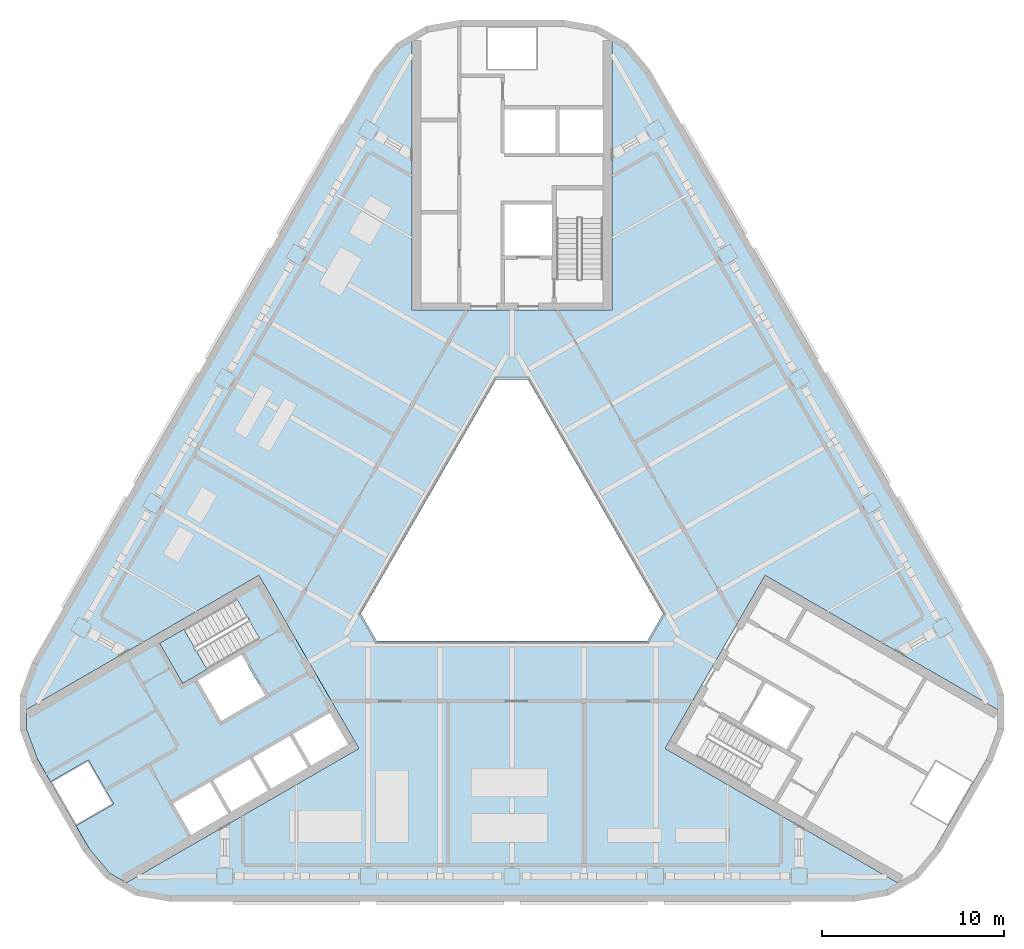
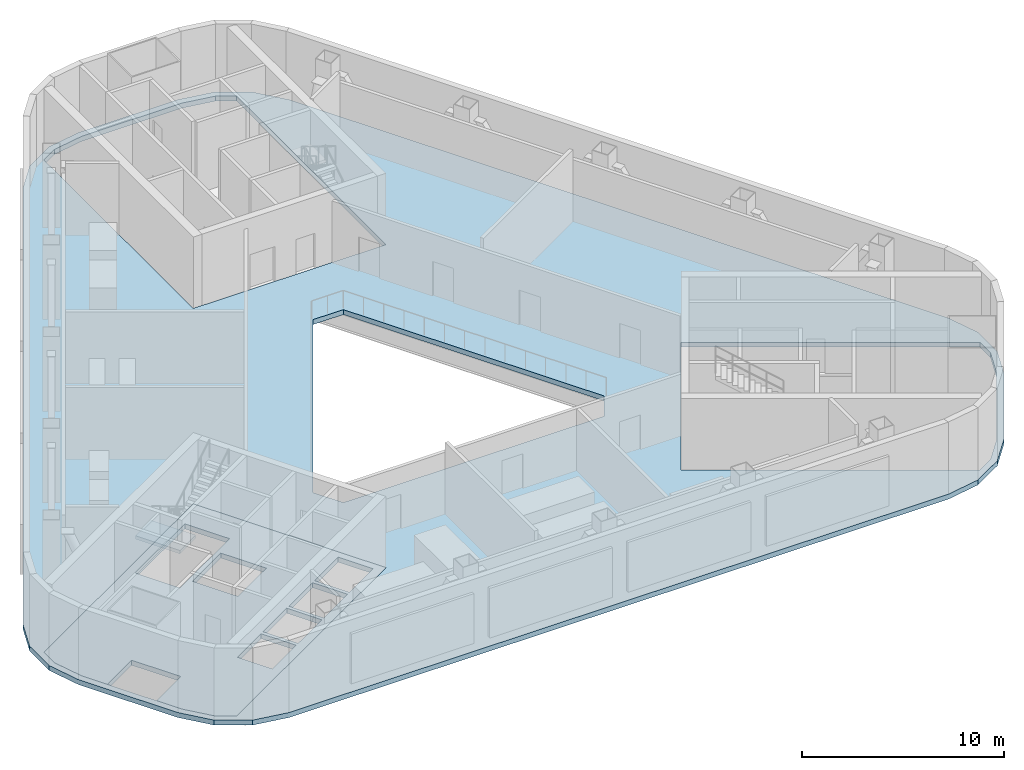
# One storey, part 4 of 14: 3 slabs, 1 element without a shape of its own.
"""IFC4 building model written with IfcOpenShell, lengths in metres."""

import ifcopenshell
import ifcopenshell.guid

model = None  # the IFC model being written
_history = None  # IfcOwnerHistory: only IFC2X3 demands one
_inside = {}  # id of a spatial element -> (the spatial element, [elements in it])
_under = {}  # id of a project, library or spatial element -> (it, [spatial elements below it])
_declared = {}  # id of a project -> (the project, [libraries it declares])
_typed = {}  # id of a type object -> (the type object, [elements of that type])
_made_of = {}  # id of a material, layer set ... -> (it, [elements and type objects made of it])


def new_model(schema):
    """Start an empty IFC model of exactly this schema.

    Asked for "IFC4X3", IfcOpenShell would pick the latest addendum, in which some entities
    have other attributes; the version numbers below select the first issue.
    IFC2X3 requires an IfcOwnerHistory on every rooted entity: one is made here for all.
    """
    global model, _history
    if schema == "IFC4X3":
        model = ifcopenshell.file(schema_version=(4, 3, 0, 0))
    else:
        model = ifcopenshell.file(schema=schema)
    _inside.clear()
    _under.clear()
    _declared.clear()
    _typed.clear()
    _made_of.clear()
    _history = None
    if model.schema == "IFC2X3":
        org = make("IfcOrganization", Name="unknown")
        user = make(
            "IfcPersonAndOrganization",
            ThePerson=make("IfcPerson", FamilyName="unknown"),
            TheOrganization=org,
        )
        app = make(
            "IfcApplication",
            ApplicationDeveloper=org,
            Version="unknown",
            ApplicationFullName="unknown",
            ApplicationIdentifier="unknown",
        )
        _history = make(
            "IfcOwnerHistory",
            OwningUser=user,
            OwningApplication=app,
            ChangeAction="ADDED",
            CreationDate=0,
        )
    return model


def make(cls, **values):
    """One entity of the class cls with the attributes given. An attribute that is None is left unset."""
    return model.create_entity(
        cls, **{name: value for name, value in values.items() if value is not None}
    )


def rooted(cls, **values):
    """An entity with a GlobalId (a new one), such as an element, a storey or a relation."""
    return make(cls, GlobalId=ifcopenshell.guid.new(), OwnerHistory=_history, **values)


def si_unit(unit_type, name, prefix=None):
    """IfcSIUnit, for example si_unit("LENGTHUNIT", "METRE", prefix="MILLI")."""
    return make("IfcSIUnit", UnitType=unit_type, Prefix=prefix, Name=name)


def assignment(units):
    """IfcUnitAssignment: the units of a project."""
    return None if units is None else make("IfcUnitAssignment", Units=units)


def point(xyz):
    """IfcCartesianPoint."""
    return None if xyz is None else make("IfcCartesianPoint", Coordinates=xyz)


def direction(xyz):
    """IfcDirection."""
    return None if xyz is None else make("IfcDirection", DirectionRatios=xyz)


def frame(location, z_axis=None, x_axis=None):
    """IfcAxis2Placement3D, a coordinate frame: its origin and axes. An axis left out is left unset."""
    return make(
        "IfcAxis2Placement3D",
        Location=point(location),
        Axis=direction(z_axis),
        RefDirection=direction(x_axis),
    )


def origin():
    """The frame at (0, 0, 0) with its axes left unset."""
    return frame((0.0, 0.0, 0.0))


def place(relative_to, where):
    """IfcLocalPlacement: puts the frame where relative to a parent placement (None: the world)."""
    return make(
        "IfcLocalPlacement", PlacementRelTo=relative_to, RelativePlacement=where
    )


def context(
    kind, dimensions, precision=None, world=None, true_north=None, identifier=None
):
    """IfcGeometricRepresentationContext, for example the 3D "Model" context."""
    return make(
        "IfcGeometricRepresentationContext",
        ContextIdentifier=identifier,
        ContextType=kind,
        CoordinateSpaceDimension=dimensions,
        Precision=precision,
        WorldCoordinateSystem=world,
        TrueNorth=true_north,
    )


def subcontext(parent, identifier, kind, view, scale=None):
    """IfcGeometricRepresentationSubContext, for example "Body" below "Model"."""
    return make(
        "IfcGeometricRepresentationSubContext",
        ContextIdentifier=identifier,
        ContextType=kind,
        ParentContext=parent,
        TargetScale=scale,
        TargetView=view,
    )


def project(units=None, contexts=None):
    """IfcProject with its units and contexts."""
    return rooted(
        "IfcProject",
        Name="project",
        RepresentationContexts=contexts,
        UnitsInContext=assignment(units),
    )


def spatial(cls, under=None, at=None, **own):
    """A site, building, storey or space (cls), placed at a placement, below another one or the project."""
    s = rooted(cls, ObjectPlacement=at, **own)
    if under is not None:
        _under.setdefault(under.id(), (under, []))[1].append(s)
    return s


def polyline(points):
    """IfcPolyline through the points."""
    return make("IfcPolyline", Points=[point(p) for p in points])


def outline(outer, holes=None, kind="AREA"):
    """IfcArbitraryClosedProfileDef: a profile drawn as a closed curve; with holes, ...WithVoids."""
    if holes is None:
        return make("IfcArbitraryClosedProfileDef", ProfileType=kind, OuterCurve=outer)
    return make(
        "IfcArbitraryProfileDefWithVoids",
        ProfileType=kind,
        OuterCurve=outer,
        InnerCurves=holes,
    )


def extrude(swept, where, along, depth):
    """IfcExtrudedAreaSolid: the profile swept, set in the frame where, extruded along a direction by depth."""
    return make(
        "IfcExtrudedAreaSolid",
        SweptArea=swept,
        Position=where,
        ExtrudedDirection=direction(along),
        Depth=depth,
    )


def shape(context_of_items, identifier, shape_type, items):
    """IfcShapeRepresentation: the items that make up one representation, for example the "Body"."""
    return make(
        "IfcShapeRepresentation",
        ContextOfItems=context_of_items,
        RepresentationIdentifier=identifier,
        RepresentationType=shape_type,
        Items=items,
    )


def material(Name=None, Category=None):
    """IfcMaterial."""
    return make("IfcMaterial", Name=Name, Category=Category)


def layer(
    of_material, thickness, ventilated=None, Name=None, Category=None, Priority=None
):
    """IfcMaterialLayer: one layer of a wall or slab, of a material (None: an air gap)."""
    return make(
        "IfcMaterialLayer",
        Material=of_material,
        LayerThickness=thickness,
        IsVentilated=ventilated,
        Name=Name,
        Category=Category,
        Priority=Priority,
    )


def layer_set(layers, Name=None):
    """IfcMaterialLayerSet."""
    return make("IfcMaterialLayerSet", MaterialLayers=layers, LayerSetName=Name)


def made_of(thing, what):
    """Note that an element or type object is made of a material, layer set ...; save() writes the relation."""
    if what is not None:
        _made_of.setdefault(what.id(), (what, []))[1].append(thing)
    return thing


def type_object(cls, material=None, **own):
    """A type object (cls), such as IfcWallType, which elements share."""
    return made_of(rooted(cls, **own), material)


def element(
    cls,
    number,
    at=None,
    inside=None,
    cuts=None,
    type_object=None,
    material=None,
    context=None,
    identifier="Body",
    shape_type=None,
    held_by="IfcProductDefinitionShape",
    body=None,
    shapes=None,
    **own,
):
    """One element of the class cls, such as IfcWall. Its Tag is "e" and its number.

    at: its placement. inside: the storey or other place that contains it. cuts: it is an
    opening in that element (IfcRelVoidsElement). A single representation is given by context,
    identifier, shape_type and body (its items); several are given by shapes. held_by: the class
    of the entity that holds the representations. save() writes the other relations.
    """
    e = rooted(cls, Tag="e%d" % number, ObjectPlacement=at, **own)
    if body is not None:
        shapes = [shape(context, identifier, shape_type, body)]
    if shapes is not None:
        e.Representation = make(held_by, Representations=shapes)
    if inside is not None:
        _inside.setdefault(inside.id(), (inside, []))[1].append(e)
    if cuts is not None:
        rooted(
            "IfcRelVoidsElement", RelatingBuildingElement=cuts, RelatedOpeningElement=e
        )
    if type_object is not None:
        _typed.setdefault(type_object.id(), (type_object, []))[1].append(e)
    return made_of(e, material)


def aggregate(whole, parts):
    """IfcRelAggregates: a whole, such as a stair, and the parts it consists of."""
    return rooted("IfcRelAggregates", RelatingObject=whole, RelatedObjects=parts)


def save(model, path):
    """Write the relations noted so far, then the file.

    IfcRelAggregates (storeys below a building ...), IfcRelContainedInSpatialStructure (elements
    in a storey), IfcRelDefinesByType, IfcRelAssociatesMaterial and IfcRelDeclares: one each for
    every whole, place, type object, material and project.
    """
    for whole, parts in _under.values():
        aggregate(whole, parts)
    for where, things in _inside.values():
        rooted(
            "IfcRelContainedInSpatialStructure",
            RelatedElements=things,
            RelatingStructure=where,
        )
    for kind, things in _typed.values():
        rooted("IfcRelDefinesByType", RelatedObjects=things, RelatingType=kind)
    for what, things in _made_of.values():
        rooted("IfcRelAssociatesMaterial", RelatedObjects=things, RelatingMaterial=what)
    for by, libraries in _declared.values():
        rooted("IfcRelDeclares", RelatingContext=by, RelatedDefinitions=libraries)
    model.write(path)


model = new_model("IFC4")

# Units and contexts
model_context = context("Model", 3, precision=1e-05, world=origin(), true_north=direction((0.0, 1.0)))
body_context = subcontext(model_context, "Body", "Model", "MODEL_VIEW")
ifc_project = project(units=[si_unit("LENGTHUNIT", "METRE"), si_unit("AREAUNIT", "SQUARE_METRE"), si_unit("VOLUMEUNIT", "CUBIC_METRE"), si_unit("PLANEANGLEUNIT", "RADIAN"), si_unit("MASSUNIT", "GRAM", prefix="KILO")], contexts=[model_context])

# Site, building, storey
site_placement = place(None, origin())
site = spatial("IfcSite", under=ifc_project, at=site_placement, CompositionType="ELEMENT")
building_placement = place(site_placement, origin())
building = spatial("IfcBuilding", under=site, at=building_placement, Name="Apuvela Tower Hotel", CompositionType="ELEMENT")
storey_placement = place(building_placement, frame((0.0, 0.0, 142.10009765625)))
storey = spatial("IfcBuildingStorey", under=building, at=storey_placement, Name="L33 Plant", CompositionType="ELEMENT", Elevation=142.10009765625)

# Slab
ifc_material_1 = material(Name="Concrete C50/60", Category="concrete")
ifc_layer_1 = layer(ifc_material_1, 0.300048828125)
ifc_layer_set_1 = layer_set([ifc_layer_1], Name="COR-FLOOR-300")
slab_type_1 = type_object("IfcSlabType", Name="COR-FLOOR-300", PredefinedType="FLOOR", material=ifc_layer_set_1)
slab_1_placement = place(storey_placement, frame((0.0, 0.0, -0.300048828125)))
element("IfcSlab", 1, at=slab_1_placement, inside=storey, type_object=slab_type_1, Name="Core floor SW", PredefinedType="FLOOR", context=body_context, shape_type="SweptSolid", body=[
    extrude(outline(polyline([(-26.711181640625, -9.07080078125), (-26.711181640625, -10.123291015625), (-26.109375, -11.77734375), (-25.381591796875, -13.03759765625), (-23.30322265625, -11.837646484375), (-21.9033203125, -14.262451171875), (-23.981689453125, -15.46240234375), (-23.254150390625, -16.72265625), (-22.122802734375, -18.071044921875), (-21.211181640625, -18.59716796875), (-8.421630859375, -11.213134765625), (-13.921630859375, -1.68701171875), (-26.711181640625, -9.07080078125)]), holes=[polyline([(-10.01806640625, -9.248046875), (-9.01806640625, -10.97998046875), (-11.044677734375, -12.150146484375), (-12.044677734375, -10.418212890625), (-10.01806640625, -9.248046875)]), polyline([(-14.244384765625, -11.68798828125), (-12.2177734375, -10.51806640625), (-11.2177734375, -12.25), (-13.244384765625, -13.420166015625), (-14.244384765625, -11.68798828125)]), polyline([(-19.387451171875, -5.419921875), (-15.149169921875, -2.972900390625), (-13.874267578125, -5.18115234375), (-18.112548828125, -7.628173828125), (-19.387451171875, -5.419921875)]), polyline([(-14.869873046875, -6.044677734375), (-13.56982421875, -8.29638671875), (-15.99462890625, -9.6962890625), (-17.294677734375, -7.444580078125), (-14.869873046875, -6.044677734375)]), polyline([(-16.444091796875, -12.9580078125), (-14.41748046875, -11.7880859375), (-13.41748046875, -13.52001953125), (-15.444091796875, -14.690185546875), (-16.444091796875, -12.9580078125)]), polyline([(-18.643798828125, -14.22802734375), (-16.6171875, -13.05810546875), (-15.6171875, -14.7900390625), (-17.643798828125, -15.960205078125), (-18.643798828125, -14.22802734375)])]), origin(), (0.0, 0.0, 1.0), 0.300048828125),
])

# Stair, slab
stair_type = type_object("IfcStairType", Name="COR-STAIR-26R", PredefinedType="HALF_TURN_STAIR", material=ifc_material_1)
stair_placement = place(storey_placement, origin())
stair = element("IfcStair", 2, at=stair_placement, inside=storey, type_object=stair_type, Name="L33 Plant Exit stair ST2", PredefinedType="HALF_TURN_STAIR")
ifc_layer_2 = layer(ifc_material_1, 0.199951171875)
ifc_layer_set_2 = layer_set([ifc_layer_2], Name="COR-LANDING-200")
slab_type_2 = type_object("IfcSlabType", Name="COR-LANDING-200", PredefinedType="LANDING", material=ifc_layer_set_2)
slab_2_placement = place(storey_placement, frame((0.0, 0.0, 2.0498046875)))
slab_2 = element("IfcSlab", 3, at=slab_2_placement, type_object=slab_type_2, Name="ST2 landing 1", PredefinedType="LANDING", context=body_context, shape_type="SweptSolid", body=[
    extrude(outline(polyline([(-18.048583984375, -4.64697265625), (-19.387451171875, -5.419921875), (-18.112548828125, -7.628173828125), (-16.773681640625, -6.855224609375), (-18.048583984375, -4.64697265625)])), origin(), (0.0, 0.0, 1.0), 0.2001953125),
])
aggregate(stair, [slab_2])

# Slab
ifc_material_2 = material(Name="Concrete C35/45", Category="concrete")
ifc_layer_3 = layer(ifc_material_2, 0.300048828125)
ifc_layer_set_3 = layer_set([ifc_layer_3], Name="STR-SLAB 300 floor Concrete C35/45")
slab_type_3 = type_object("IfcSlabType", Name="STR-SLAB 300 floor Concrete C35/45", PredefinedType="FLOOR", material=ifc_layer_set_3)
slab_3_placement = place(storey_placement, frame((0.0, 0.0, -0.300048828125)))
element("IfcSlab", 4, at=slab_3_placement, inside=storey, type_object=slab_type_3, Name="Floor slab S2 L33 Plant", PredefinedType="FLOOR", context=body_context, shape_type="SweptSolid", body=[
    extrude(outline(polyline([(7.59228515625, 26.110107421875), (6.3642578125, 27.5732421875), (4.710205078125, 28.5283203125), (2.8291015625, 28.860107421875), (-2.8291015625, 28.860107421875), (-4.710205078125, 28.5283203125), (-6.3642578125, 27.5732421875), (-7.59228515625, 26.110107421875), (-26.407958984375, -6.47998046875), (-27.061279296875, -8.27490234375), (-27.061279296875, -10.18505859375), (-26.407958984375, -11.97998046875), (-23.5791015625, -16.8798828125), (-22.351318359375, -18.34326171875), (-20.697021484375, -19.29833984375), (-18.81591796875, -19.6298828125), (18.81591796875, -19.6298828125), (20.697021484375, -19.29833984375), (22.351318359375, -18.34326171875), (23.5791015625, -16.8798828125), (26.407958984375, -11.97998046875), (27.061279296875, -10.18505859375), (27.061279296875, -8.27490234375), (26.407958984375, -6.47998046875), (7.59228515625, 26.110107421875)]), holes=[polyline([(0.865966796875, 9.10009765625), (-0.865966796875, 9.10009765625), (-8.313720703125, -3.800048828125), (-7.44775390625, -5.300048828125), (7.44775390625, -5.300048828125), (8.313720703125, -3.800048828125), (0.865966796875, 9.10009765625)]), polyline([(-5.5, 12.89990234375), (-5.5, 27.668212890625), (-4.588623046875, 28.1943359375), (-2.85498046875, 28.5), (2.85498046875, 28.5), (4.588623046875, 28.1943359375), (5.5, 27.668212890625), (5.5, 12.89990234375), (-5.5, 12.89990234375)]), polyline([(-8.421630859375, -11.213134765625), (-21.211181640625, -18.59716796875), (-22.122802734375, -18.071044921875), (-23.254150390625, -16.72265625), (-26.109375, -11.77734375), (-26.711181640625, -10.123291015625), (-26.711181640625, -9.07080078125), (-13.921630859375, -1.68701171875), (-8.421630859375, -11.213134765625)]), polyline([(13.921630859375, -1.68701171875), (26.711181640625, -9.07080078125), (26.711181640625, -10.123291015625), (26.109375, -11.77734375), (23.254150390625, -16.72265625), (22.122802734375, -18.071044921875), (21.211181640625, -18.59716796875), (8.421630859375, -11.213134765625), (13.921630859375, -1.68701171875)])]), origin(), (0.0, 0.0, 1.0), 0.300048828125),
])

save(model, "model.ifc")
